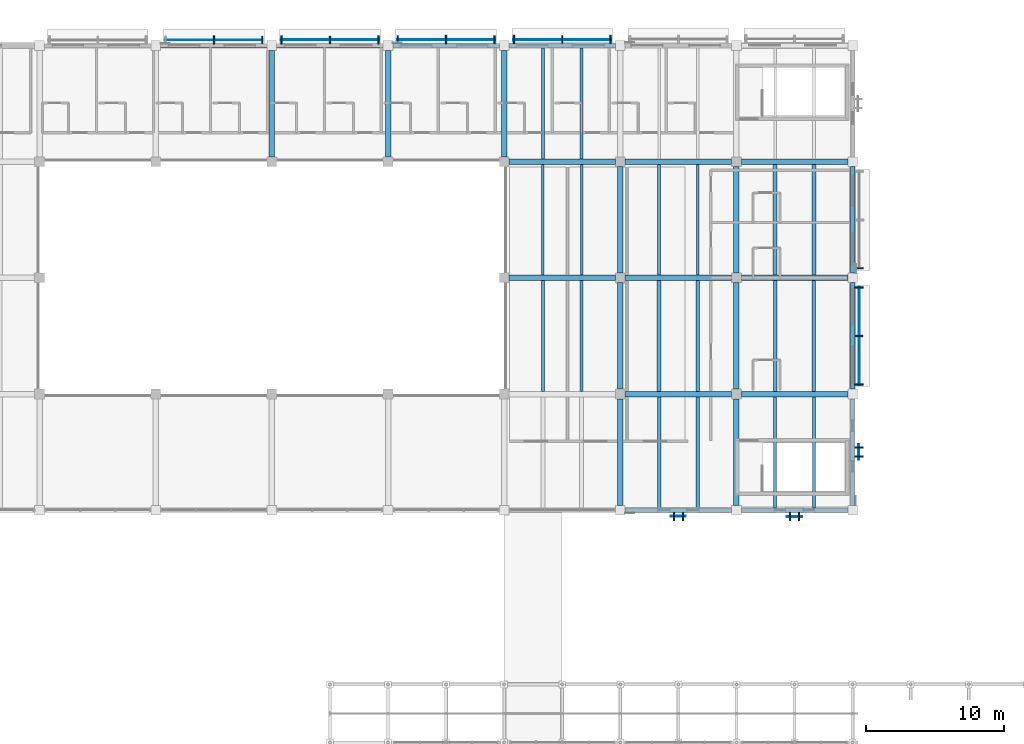
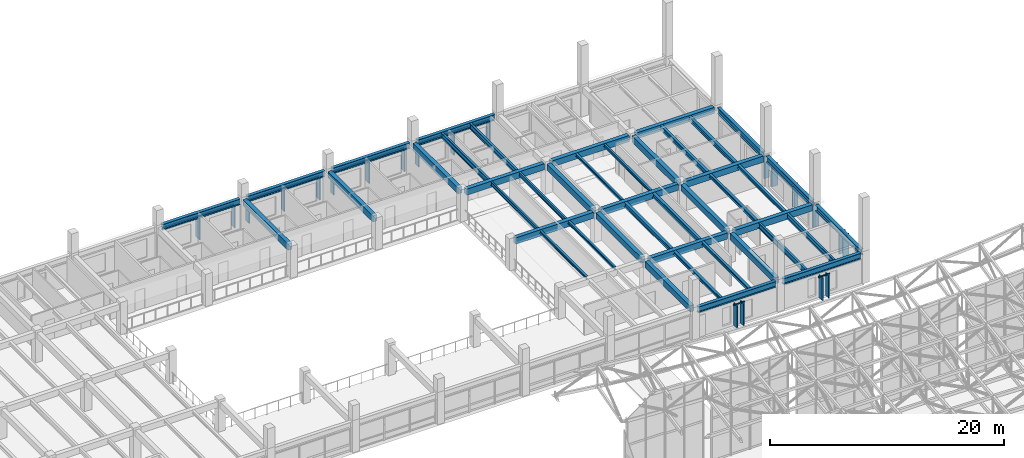
# One storey, part 59 of 123: 44 beams, 29 members, 9 elements without a shape of their own.
"""IFC4 building model written with IfcOpenShell, lengths in metres."""

from ifc_helpers import new_model, si_unit, direction, frame, origin, origin_2d, place, context, subcontext, project, spatial, rectangle, i_section, extrude, material, material_profile, profile_set, type_object, element, aggregate, save


model = new_model("IFC4")

# Units and contexts
model_context = context("Model", 3, precision=1e-05, world=origin(), true_north=direction((0.0, 1.0)))
body_context = subcontext(model_context, "Body", "Model", "MODEL_VIEW")
ifc_project = project(units=[si_unit("LENGTHUNIT", "METRE"), si_unit("AREAUNIT", "SQUARE_METRE"), si_unit("VOLUMEUNIT", "CUBIC_METRE"), si_unit("PLANEANGLEUNIT", "RADIAN"), si_unit("MASSUNIT", "GRAM", prefix="KILO")], contexts=[model_context])

# Site, building, storey
site_placement = place(None, origin())
site = spatial("IfcSite", under=ifc_project, at=site_placement, CompositionType="ELEMENT")
building_placement = place(site_placement, origin())
building = spatial("IfcBuilding", under=site, at=building_placement, Name="Cumbredor Promenade Congress Hotel", CompositionType="ELEMENT")
storey_placement = place(building_placement, frame((0.0, 0.0, 11.760009765625)))
storey = spatial("IfcBuildingStorey", under=building, at=storey_placement, Name="L03", CompositionType="ELEMENT", Elevation=11.760009765625)

# Beams
ifc_material_1 = material(Name="Concrete C40/50", Category="concrete")
ifc_material_profile_1 = material_profile(ifc_material_1, rectangle(XDim=0.39990234375, YDim=0.64990234375, at=origin_2d()), Name="RC BEAM 400x650")
ifc_profile_set_1 = profile_set([ifc_material_profile_1], Name="Concrete C40/50")
beam_type_1 = type_object("IfcBeamType", Name="BM-RC-400x650", PredefinedType="BEAM", material=ifc_profile_set_1)
for number, where, z_axis, x_axis, name in (
    (1, (134.39990234375, 109.550048828125, 2.794921875), (0.0, 1.0, 0.0), (-1.0, 0.0, 0.0), "L04 Y-Grid Beam 196"),
    (2, (142.800048828125, 109.550048828125, 2.794921875), (0.0, 1.0, 0.0), (-1.0, 0.0, 0.0), "L04 Y-Grid Beam 200"),
    (3, (151.550048828125, 100.800048828125, 2.794921875), (1.0, 0.0, 0.0), (0.0, 1.0, 0.0), "L04 X-Grid Beam 205"),
    (4, (151.550048828125, 109.199951171875, 2.794921875), (1.0, 0.0, 0.0), (0.0, 1.0, 0.0), "L04 X-Grid Beam 206"),
    (5, (151.199951171875, 109.550048828125, 2.794921875), (0.0, 1.0, 0.0), (-1.0, 0.0, 0.0), "L04 Y-Grid Beam 207"),
    (6, (159.60009765625, 84.35009765625, 2.794921875), (0.0, 1.0, 0.0), (-1.0, 0.0, 0.0), "L04 Y-Grid Beam 210"),
    (7, (159.949951171875, 92.39990234375, 2.794921875), (1.0, 0.0, 0.0), (0.0, 1.0, 0.0), "L04 X-Grid Beam 211"),
    (8, (159.60009765625, 92.75, 2.794921875), (0.0, 1.0, 0.0), (-1.0, 0.0, 0.0), "L04 Y-Grid Beam 212"),
    (9, (159.949951171875, 100.800048828125, 2.794921875), (1.0, 0.0, 0.0), (0.0, 1.0, 0.0), "L04 X-Grid Beam 213"),
):
    element("IfcBeam", number, at=place(storey_placement, frame(where, z_axis=z_axis, x_axis=x_axis)), inside=storey, type_object=beam_type_1, Name=name, PredefinedType="BEAM", context=body_context, shape_type="SweptSolid", body=[
        extrude(rectangle(XDim=0.39990234375, YDim=0.64990234375, at=origin_2d()), origin(), (0.0, 0.0, 1.0), 7.699951171875),
    ])
beam_1_placement = place(storey_placement, frame((159.60009765625, 101.14990234375, 2.794921875), z_axis=(0.0, 1.0, 0.0), x_axis=(-1.0, 0.0, 0.0)))
element("IfcBeam", 10, at=beam_1_placement, inside=storey, type_object=beam_type_1, Name="L04 Y-Grid Beam 214", PredefinedType="BEAM", context=body_context, shape_type="SweptSolid", body=[
    extrude(rectangle(XDim=0.39990234375, YDim=0.64990234375, at=origin_2d()), origin(), (0.0, 0.0, 1.0), 7.7001953125),
])
for number, where, z_axis, x_axis, name in (
    (11, (159.949951171875, 109.199951171875, 2.794921875), (1.0, 0.0, 0.0), (0.0, 1.0, 0.0), "L04 X-Grid Beam 215"),
    (12, (168.0, 84.35009765625, 2.794921875), (0.0, 1.0, 0.0), (-1.0, 0.0, 0.0), "L04 Y-Grid Beam 219"),
    (13, (168.35009765625, 92.39990234375, 2.794921875), (1.0, 0.0, 0.0), (0.0, 1.0, 0.0), "L04 X-Grid Beam 220"),
    (14, (168.0, 92.75, 2.794921875), (0.0, 1.0, 0.0), (-1.0, 0.0, 0.0), "L04 Y-Grid Beam 221"),
    (15, (168.35009765625, 100.800048828125, 2.794921875), (1.0, 0.0, 0.0), (0.0, 1.0, 0.0), "L04 X-Grid Beam 222"),
):
    element("IfcBeam", number, at=place(storey_placement, frame(where, z_axis=z_axis, x_axis=x_axis)), inside=storey, type_object=beam_type_1, Name=name, PredefinedType="BEAM", context=body_context, shape_type="SweptSolid", body=[
        extrude(rectangle(XDim=0.39990234375, YDim=0.64990234375, at=origin_2d()), origin(), (0.0, 0.0, 1.0), 7.699951171875),
    ])
beam_2_placement = place(storey_placement, frame((168.0, 101.14990234375, 2.794921875), z_axis=(0.0, 1.0, 0.0), x_axis=(-1.0, 0.0, 0.0)))
element("IfcBeam", 16, at=beam_2_placement, inside=storey, type_object=beam_type_1, Name="L04 Y-Grid Beam 223", PredefinedType="BEAM", context=body_context, shape_type="SweptSolid", body=[
    extrude(rectangle(XDim=0.39990234375, YDim=0.64990234375, at=origin_2d()), origin(), (0.0, 0.0, 1.0), 7.7001953125),
])
beam_3_placement = place(storey_placement, frame((168.35009765625, 109.199951171875, 2.794921875), z_axis=(1.0, 0.0, 0.0), x_axis=(0.0, 1.0, 0.0)))
element("IfcBeam", 17, at=beam_3_placement, inside=storey, type_object=beam_type_1, Name="L04 X-Grid Beam 224", PredefinedType="BEAM", context=body_context, shape_type="SweptSolid", body=[
    extrude(rectangle(XDim=0.39990234375, YDim=0.64990234375, at=origin_2d()), origin(), (0.0, 0.0, 1.0), 7.699951171875),
])
ifc_material_2 = material(Name="Steel ASTM A992 Grade 50", Category="steel")
ifc_material_profile_2 = material_profile(ifc_material_2, i_section(OverallWidth=0.323974609375, OverallDepth=0.611083984375, WebThickness=0.0126953125, FlangeThickness=0.01904296875, at=origin_2d()), Name="W24X104")
ifc_profile_set_2 = profile_set([ifc_material_profile_2], Name="Steel ASTM A992 Grade 50")
beam_type_2 = type_object("IfcBeamType", Name="BM-W24X104", PredefinedType="BEAM", material=ifc_profile_set_2)
for number, where, z_axis, x_axis, name in (
    (18, (126.35009765625, 117.60009765625, 2.814453125), (1.0, 0.0, 0.0), (0.0, 1.0, 0.0), "L04 X-Grid Beam 193"),
    (19, (134.75, 117.60009765625, 2.814453125), (1.0, 0.0, 0.0), (0.0, 1.0, 0.0), "L04 X-Grid Beam 197"),
):
    element("IfcBeam", number, at=place(storey_placement, frame(where, z_axis=z_axis, x_axis=x_axis)), inside=storey, type_object=beam_type_2, Name=name, PredefinedType="BEAM", context=body_context, shape_type="SweptSolid", body=[
        extrude(i_section(OverallWidth=0.323974609375, OverallDepth=0.611083984375, WebThickness=0.0126953125, FlangeThickness=0.01904296875, at=origin_2d()), origin(), (0.0, 0.0, 1.0), 7.699951171875),
    ])
beam_4_placement = place(storey_placement, frame((143.14990234375, 117.60009765625, 2.814453125), z_axis=(1.0, 0.0, 0.0), x_axis=(0.0, 1.0, 0.0)))
element("IfcBeam", 20, at=beam_4_placement, inside=storey, type_object=beam_type_2, Name="L04 X-Grid Beam 201", PredefinedType="BEAM", context=body_context, shape_type="SweptSolid", body=[
    extrude(i_section(OverallWidth=0.323974609375, OverallDepth=0.611083984375, WebThickness=0.0126953125, FlangeThickness=0.01904296875, at=origin_2d()), origin(), (0.0, 0.0, 1.0), 7.7001953125),
])
for number, where, z_axis, x_axis, name in (
    (21, (151.550048828125, 117.60009765625, 2.814453125), (1.0, 0.0, 0.0), (0.0, 1.0, 0.0), "L04 X-Grid Beam 208"),
    (22, (159.949951171875, 84.0, 2.814453125), (1.0, 0.0, 0.0), (0.0, 1.0, 0.0), "L04 X-Grid Beam 209"),
    (23, (168.35009765625, 84.0, 2.814453125), (1.0, 0.0, 0.0), (0.0, 1.0, 0.0), "L04 X-Grid Beam 218"),
):
    element("IfcBeam", number, at=place(storey_placement, frame(where, z_axis=z_axis, x_axis=x_axis)), inside=storey, type_object=beam_type_2, Name=name, PredefinedType="BEAM", context=body_context, shape_type="SweptSolid", body=[
        extrude(i_section(OverallWidth=0.323974609375, OverallDepth=0.611083984375, WebThickness=0.0126953125, FlangeThickness=0.01904296875, at=origin_2d()), origin(), (0.0, 0.0, 1.0), 7.699951171875),
    ])

# Curtain wall, member
ifc_material_3 = material(Name="Thermally broken anodized aluminium and low-E glass", Category="aluminium")
curtain_wall_type = type_object("IfcCurtainWallType", Name="Solar Brise-Soleil Screen Assembly CW-07", PredefinedType="NOTDEFINED", material=ifc_material_3)
curtain_wall_1_placement = place(storey_placement, origin())
curtain_wall_1 = element("IfcCurtainWall", 24, at=curtain_wall_1_placement, inside=storey, type_object=curtain_wall_type, Name="L03 Pier Brise-Soleil Screen 0565", PredefinedType="NOTDEFINED")
ifc_material_4 = material(Name="Thermally broken anodized aluminium", Category="aluminium")
ifc_material_profile_3 = material_profile(ifc_material_4, rectangle(XDim=0.06494140625, YDim=0.1298828125, at=origin_2d()), Name="ALU TRANSOM 65x130")
ifc_profile_set_3 = profile_set([ifc_material_profile_3], Name="Thermally broken anodized aluminium")
member_type_1 = type_object("IfcMemberType", Name="Curtain Wall Transom TR-01", PredefinedType="USERDEFINED", material=ifc_profile_set_3)
member_1_placement = place(storey_placement, frame((163.25, 83.550048828125, 2.333984375), z_axis=(1.0, 0.0, 0.0), x_axis=(0.0, 1.0, 0.0)))
member_1 = element("IfcMember", 25, at=member_1_placement, type_object=member_type_1, Name="L03 Pier Brise-Soleil Header 0567", ObjectType="TRANSOM", PredefinedType="USERDEFINED", context=body_context, shape_type="SweptSolid", body=[
    extrude(rectangle(XDim=0.06494140625, YDim=0.1298828125, at=origin_2d()), origin(), (0.0, 0.0, 1.0), 1.10009765625),
])

curtain_wall_2_placement = place(storey_placement, origin())
curtain_wall_2 = element("IfcCurtainWall", 26, at=curtain_wall_2_placement, inside=storey, type_object=curtain_wall_type, Name="L03 Pier Brise-Soleil Screen 0568", PredefinedType="NOTDEFINED")
member_2_placement = place(storey_placement, frame((171.64990234375, 83.527587890625, 2.333984375), z_axis=(1.0, 0.0, 0.0), x_axis=(0.0, 1.0, 0.0)))
member_2 = element("IfcMember", 27, at=member_2_placement, type_object=member_type_1, Name="L03 Pier Brise-Soleil Header 0570", ObjectType="TRANSOM", PredefinedType="USERDEFINED", context=body_context, shape_type="SweptSolid", body=[
    extrude(rectangle(XDim=0.06494140625, YDim=0.1298828125, at=origin_2d()), origin(), (0.0, 0.0, 1.0), 1.10009765625),
])

curtain_wall_3_placement = place(storey_placement, origin())
curtain_wall_3 = element("IfcCurtainWall", 28, at=curtain_wall_3_placement, inside=storey, type_object=curtain_wall_type, Name="L03 Hospitality Brise-Soleil Screen 048", PredefinedType="NOTDEFINED")
member_3_placement = place(storey_placement, frame((126.65087890625, 118.0, 2.31396484375), z_axis=(1.0, 0.0, 0.0), x_axis=(0.0, 1.0, 0.0)))
member_3 = element("IfcMember", 29, at=member_3_placement, type_object=member_type_1, Name="L03 Brise-Soleil Screen Transom 048", ObjectType="TRANSOM", PredefinedType="USERDEFINED", context=body_context, shape_type="SweptSolid", body=[
    extrude(rectangle(XDim=0.06494140625, YDim=0.1298828125, at=origin_2d()), origin(), (0.0, 0.0, 1.0), 7.09814453125),
])

curtain_wall_4_placement = place(storey_placement, origin())
curtain_wall_4 = element("IfcCurtainWall", 30, at=curtain_wall_4_placement, inside=storey, type_object=curtain_wall_type, Name="L03 Hospitality Brise-Soleil Screen 049", PredefinedType="NOTDEFINED")
member_4_placement = place(storey_placement, frame((135.051025390625, 118.010009765625, 2.31396484375), z_axis=(1.0, 0.0, 0.0), x_axis=(0.0, 1.0, 0.0)))
member_4 = element("IfcMember", 31, at=member_4_placement, type_object=member_type_1, Name="L03 Brise-Soleil Screen Transom 049", ObjectType="TRANSOM", PredefinedType="USERDEFINED", context=body_context, shape_type="SweptSolid", body=[
    extrude(rectangle(XDim=0.06494140625, YDim=0.1298828125, at=origin_2d()), origin(), (0.0, 0.0, 1.0), 7.097900390625),
])

curtain_wall_5_placement = place(storey_placement, origin())
curtain_wall_5 = element("IfcCurtainWall", 32, at=curtain_wall_5_placement, inside=storey, type_object=curtain_wall_type, Name="L03 Hospitality Brise-Soleil Screen 050", PredefinedType="NOTDEFINED")
member_5_placement = place(storey_placement, frame((143.450927734375, 118.0224609375, 2.31396484375), z_axis=(1.0, 0.0, 0.0), x_axis=(0.0, 1.0, 0.0)))
member_5 = element("IfcMember", 33, at=member_5_placement, type_object=member_type_1, Name="L03 Brise-Soleil Screen Transom 050", ObjectType="TRANSOM", PredefinedType="USERDEFINED", context=body_context, shape_type="SweptSolid", body=[
    extrude(rectangle(XDim=0.06494140625, YDim=0.1298828125, at=origin_2d()), origin(), (0.0, 0.0, 1.0), 7.09814453125),
])

curtain_wall_6_placement = place(storey_placement, origin())
curtain_wall_6 = element("IfcCurtainWall", 34, at=curtain_wall_6_placement, inside=storey, type_object=curtain_wall_type, Name="L03 Hospitality Brise-Soleil Screen 051", PredefinedType="NOTDEFINED")
member_6_placement = place(storey_placement, frame((151.85107421875, 118.034912109375, 2.31396484375), z_axis=(1.0, 0.0, 0.0), x_axis=(0.0, 1.0, 0.0)))
member_6 = element("IfcMember", 35, at=member_6_placement, type_object=member_type_1, Name="L03 Brise-Soleil Screen Transom 051", ObjectType="TRANSOM", PredefinedType="USERDEFINED", context=body_context, shape_type="SweptSolid", body=[
    extrude(rectangle(XDim=0.06494140625, YDim=0.1298828125, at=origin_2d()), origin(), (0.0, 0.0, 1.0), 7.097900390625),
])

curtain_wall_7_placement = place(storey_placement, origin())
curtain_wall_7 = element("IfcCurtainWall", 36, at=curtain_wall_7_placement, inside=storey, type_object=curtain_wall_type, Name="L03 Pier Brise-Soleil Screen 0607", PredefinedType="NOTDEFINED")
member_7_placement = place(storey_placement, frame((176.85009765625, 87.64990234375, 2.333984375), z_axis=(0.0, 1.0, 0.0), x_axis=(-1.0, 0.0, 0.0)))
member_7 = element("IfcMember", 37, at=member_7_placement, type_object=member_type_1, Name="L03 Pier Brise-Soleil Header 0609", ObjectType="TRANSOM", PredefinedType="USERDEFINED", context=body_context, shape_type="SweptSolid", body=[
    extrude(rectangle(XDim=0.06494140625, YDim=0.1298828125, at=origin_2d()), origin(), (0.0, 0.0, 1.0), 1.10009765625),
])

curtain_wall_8_placement = place(storey_placement, origin())
curtain_wall_8 = element("IfcCurtainWall", 38, at=curtain_wall_8_placement, inside=storey, type_object=curtain_wall_type, Name="L03 Hospitality Brise-Soleil Screen 054", PredefinedType="NOTDEFINED")
member_8_placement = place(storey_placement, frame((176.87255859375, 93.051025390625, 2.31396484375), z_axis=(0.0, 1.0, 0.0), x_axis=(-1.0, 0.0, 0.0)))
member_8 = element("IfcMember", 39, at=member_8_placement, type_object=member_type_1, Name="L03 Brise-Soleil Screen Transom 054", ObjectType="TRANSOM", PredefinedType="USERDEFINED", context=body_context, shape_type="SweptSolid", body=[
    extrude(rectangle(XDim=0.06494140625, YDim=0.1298828125, at=origin_2d()), origin(), (0.0, 0.0, 1.0), 7.097900390625),
])

# Beams
ifc_material_profile_4 = material_profile(ifc_material_2, i_section(OverallWidth=0.202880859375, OverallDepth=0.302978515625, WebThickness=0.007568359375, FlangeThickness=0.01318359375, at=origin_2d()), Name="W12X40")
ifc_profile_set_4 = profile_set([ifc_material_profile_4], Name="Steel ASTM A992 Grade 50")
beam_type_3 = type_object("IfcBeamType", Name="JST-W12X40", PredefinedType="JOIST", material=ifc_profile_set_4)
for number, where, z_axis, x_axis, name in (
    (40, (154.0, 92.60009765625, 2.968505859375), (0.0, 1.0, 0.0), (-1.0, 0.0, 0.0), "L04 Secondary Floor Joist 0130"),
    (41, (156.800048828125, 92.60009765625, 2.968505859375), (0.0, 1.0, 0.0), (-1.0, 0.0, 0.0), "L04 Secondary Floor Joist 0131"),
    (42, (162.39990234375, 101.0, 2.968505859375), (0.0, 1.0, 0.0), (-1.0, 0.0, 0.0), "L04 Secondary Floor Joist 0140"),
    (43, (165.199951171875, 101.0, 2.968505859375), (0.0, 1.0, 0.0), (-1.0, 0.0, 0.0), "L04 Secondary Floor Joist 0141"),
):
    element("IfcBeam", number, at=place(storey_placement, frame(where, z_axis=z_axis, x_axis=x_axis)), inside=storey, type_object=beam_type_3, Name=name, PredefinedType="JOIST", context=body_context, shape_type="SweptSolid", body=[
        extrude(i_section(OverallWidth=0.202880859375, OverallDepth=0.302978515625, WebThickness=0.007568359375, FlangeThickness=0.01318359375, at=origin_2d()), origin(), (0.0, 0.0, 1.0), 8.0),
    ])
ifc_material_profile_5 = material_profile(ifc_material_2, i_section(OverallWidth=0.2548828125, OverallDepth=0.35693359375, WebThickness=0.010498046875, FlangeThickness=0.018310546875, at=origin_2d()), Name="W14X68")
ifc_profile_set_5 = profile_set([ifc_material_profile_5], Name="Steel ASTM A992 Grade 50")
beam_type_4 = type_object("IfcBeamType", Name="JST-W14X68", PredefinedType="JOIST", material=ifc_profile_set_5)
for number, where, z_axis, x_axis, name in (
    (44, (162.39990234375, 84.162109375, 2.94140625), (0.0, 1.0, 0.0), (-1.0, 0.0, 0.0), "L04 Secondary Floor Joist 0136"),
    (45, (165.199951171875, 84.162109375, 2.94140625), (0.0, 1.0, 0.0), (-1.0, 0.0, 0.0), "L04 Secondary Floor Joist 0137"),
):
    element("IfcBeam", number, at=place(storey_placement, frame(where, z_axis=z_axis, x_axis=x_axis)), inside=storey, type_object=beam_type_4, Name=name, PredefinedType="JOIST", context=body_context, shape_type="SweptSolid", body=[
        extrude(i_section(OverallWidth=0.2548828125, OverallDepth=0.35693359375, WebThickness=0.010498046875, FlangeThickness=0.018310546875, at=origin_2d()), origin(), (0.0, 0.0, 1.0), 8.037841796875),
    ])
for number, where, z_axis, x_axis, name in (
    (46, (170.800048828125, 92.60009765625, 2.94140625), (0.0, 1.0, 0.0), (-1.0, 0.0, 0.0), "L04 Secondary Floor Joist 0146"),
    (47, (173.60009765625, 92.60009765625, 2.94140625), (0.0, 1.0, 0.0), (-1.0, 0.0, 0.0), "L04 Secondary Floor Joist 0147"),
):
    element("IfcBeam", number, at=place(storey_placement, frame(where, z_axis=z_axis, x_axis=x_axis)), inside=storey, type_object=beam_type_4, Name=name, PredefinedType="JOIST", context=body_context, shape_type="SweptSolid", body=[
        extrude(i_section(OverallWidth=0.2548828125, OverallDepth=0.35693359375, WebThickness=0.010498046875, FlangeThickness=0.018310546875, at=origin_2d()), origin(), (0.0, 0.0, 1.0), 8.0),
    ])
ifc_material_profile_6 = material_profile(ifc_material_2, i_section(OverallWidth=0.180908203125, OverallDepth=0.4169921875, WebThickness=0.010986328125, FlangeThickness=0.018310546875, at=origin_2d()), Name="W16X57")
ifc_profile_set_6 = profile_set([ifc_material_profile_6], Name="Steel ASTM A992 Grade 50")
beam_type_5 = type_object("IfcBeamType", Name="JST-W16X57", PredefinedType="JOIST", material=ifc_profile_set_6)
for number, where, z_axis, x_axis, name in (
    (48, (154.0, 101.0, 2.911376953125), (0.0, 1.0, 0.0), (-1.0, 0.0, 0.0), "L04 Secondary Floor Joist 0132"),
    (49, (156.800048828125, 101.0, 2.911376953125), (0.0, 1.0, 0.0), (-1.0, 0.0, 0.0), "L04 Secondary Floor Joist 0133"),
):
    element("IfcBeam", number, at=place(storey_placement, frame(where, z_axis=z_axis, x_axis=x_axis)), inside=storey, type_object=beam_type_5, Name=name, PredefinedType="JOIST", context=body_context, shape_type="SweptSolid", body=[
        extrude(i_section(OverallWidth=0.180908203125, OverallDepth=0.4169921875, WebThickness=0.010986328125, FlangeThickness=0.018310546875, at=origin_2d()), origin(), (0.0, 0.0, 1.0), 8.0),
    ])
ifc_material_profile_7 = material_profile(ifc_material_2, i_section(OverallWidth=0.280029296875, OverallDepth=0.462890625, WebThickness=0.0107421875, FlangeThickness=0.017333984375, at=origin_2d()), Name="W18X76")
ifc_profile_set_7 = profile_set([ifc_material_profile_7], Name="Steel ASTM A992 Grade 50")
beam_type_6 = type_object("IfcBeamType", Name="JST-W18X76", PredefinedType="JOIST", material=ifc_profile_set_7)
for number, where, z_axis, x_axis, name in (
    (50, (162.39990234375, 92.60009765625, 2.888427734375), (0.0, 1.0, 0.0), (-1.0, 0.0, 0.0), "L04 Secondary Floor Joist 0138"),
    (51, (165.199951171875, 92.60009765625, 2.888427734375), (0.0, 1.0, 0.0), (-1.0, 0.0, 0.0), "L04 Secondary Floor Joist 0139"),
    (52, (170.800048828125, 101.0, 2.888427734375), (0.0, 1.0, 0.0), (-1.0, 0.0, 0.0), "L04 Secondary Floor Joist 0148"),
    (53, (173.60009765625, 101.0, 2.888427734375), (0.0, 1.0, 0.0), (-1.0, 0.0, 0.0), "L04 Secondary Floor Joist 0149"),
):
    element("IfcBeam", number, at=place(storey_placement, frame(where, z_axis=z_axis, x_axis=x_axis)), inside=storey, type_object=beam_type_6, Name=name, PredefinedType="JOIST", context=body_context, shape_type="SweptSolid", body=[
        extrude(i_section(OverallWidth=0.280029296875, OverallDepth=0.462890625, WebThickness=0.0107421875, FlangeThickness=0.017333984375, at=origin_2d()), origin(), (0.0, 0.0, 1.0), 8.0),
    ])
ifc_material_profile_8 = material_profile(ifc_material_2, i_section(OverallWidth=0.214111328125, OverallDepth=0.549072265625, WebThickness=0.0146484375, FlangeThickness=0.023681640625, at=origin_2d()), Name="W21X93")
ifc_profile_set_8 = profile_set([ifc_material_profile_8], Name="Steel ASTM A992 Grade 50")
beam_type_7 = type_object("IfcBeamType", Name="JST-W21X93", PredefinedType="JOIST", material=ifc_profile_set_8)
for number, where, z_axis, x_axis, name in (
    (54, (154.0, 109.39990234375, 2.845458984375), (0.0, 1.0, 0.0), (-1.0, 0.0, 0.0), "L04 Secondary Floor Joist 0134"),
    (55, (156.800048828125, 109.39990234375, 2.845458984375), (0.0, 1.0, 0.0), (-1.0, 0.0, 0.0), "L04 Secondary Floor Joist 0135"),
):
    element("IfcBeam", number, at=place(storey_placement, frame(where, z_axis=z_axis, x_axis=x_axis)), inside=storey, type_object=beam_type_7, Name=name, PredefinedType="JOIST", context=body_context, shape_type="SweptSolid", body=[
        extrude(i_section(OverallWidth=0.214111328125, OverallDepth=0.549072265625, WebThickness=0.0146484375, FlangeThickness=0.023681640625, at=origin_2d()), origin(), (0.0, 0.0, 1.0), 8.0380859375),
    ])
for number, where, z_axis, x_axis, name in (
    (56, (170.800048828125, 84.162109375, 2.845458984375), (0.0, 1.0, 0.0), (-1.0, 0.0, 0.0), "L04 Secondary Floor Joist 0144"),
    (57, (173.60009765625, 84.162109375, 2.845458984375), (0.0, 1.0, 0.0), (-1.0, 0.0, 0.0), "L04 Secondary Floor Joist 0145"),
):
    element("IfcBeam", number, at=place(storey_placement, frame(where, z_axis=z_axis, x_axis=x_axis)), inside=storey, type_object=beam_type_7, Name=name, PredefinedType="JOIST", context=body_context, shape_type="SweptSolid", body=[
        extrude(i_section(OverallWidth=0.214111328125, OverallDepth=0.549072265625, WebThickness=0.0146484375, FlangeThickness=0.023681640625, at=origin_2d()), origin(), (0.0, 0.0, 1.0), 8.037841796875),
    ])
ifc_material_profile_9 = material_profile(ifc_material_2, i_section(OverallWidth=0.323974609375, OverallDepth=0.611083984375, WebThickness=0.0126953125, FlangeThickness=0.01904296875, at=origin_2d()), Name="W24X104")
ifc_profile_set_9 = profile_set([ifc_material_profile_9], Name="Steel ASTM A992 Grade 50")
beam_type_8 = type_object("IfcBeamType", Name="SP-W24X104", PredefinedType="SPANDREL", material=ifc_profile_set_9)
for number, where, z_axis, x_axis, name in (
    (58, (176.39990234375, 84.35009765625, 2.814453125), (0.0, 1.0, 0.0), (-1.0, 0.0, 0.0), "L04 Y-Grid Beam 227"),
    (59, (176.39990234375, 92.75, 2.814453125), (0.0, 1.0, 0.0), (-1.0, 0.0, 0.0), "L04 Y-Grid Beam 228"),
):
    element("IfcBeam", number, at=place(storey_placement, frame(where, z_axis=z_axis, x_axis=x_axis)), inside=storey, type_object=beam_type_8, Name=name, PredefinedType="SPANDREL", context=body_context, shape_type="SweptSolid", body=[
        extrude(i_section(OverallWidth=0.323974609375, OverallDepth=0.611083984375, WebThickness=0.0126953125, FlangeThickness=0.01904296875, at=origin_2d()), origin(), (0.0, 0.0, 1.0), 7.699951171875),
    ])
beam_5_placement = place(storey_placement, frame((176.39990234375, 101.14990234375, 2.814453125), z_axis=(0.0, 1.0, 0.0), x_axis=(-1.0, 0.0, 0.0)))
element("IfcBeam", 60, at=beam_5_placement, inside=storey, type_object=beam_type_8, Name="L04 Y-Grid Beam 229", PredefinedType="SPANDREL", context=body_context, shape_type="SweptSolid", body=[
    extrude(i_section(OverallWidth=0.323974609375, OverallDepth=0.611083984375, WebThickness=0.0126953125, FlangeThickness=0.01904296875, at=origin_2d()), origin(), (0.0, 0.0, 1.0), 7.7001953125),
])

# Member
ifc_material_profile_10 = material_profile(ifc_material_4, rectangle(XDim=0.110107421875, YDim=0.6201171875, at=origin_2d()), Name="ARCH FIN 110x620")
ifc_profile_set_10 = profile_set([ifc_material_profile_10], Name="Thermally broken anodized aluminium")
member_type_2 = type_object("IfcMemberType", Name="Vertical Bronze Brise-Soleil Fin BSF-02 110x620", PredefinedType="USERDEFINED", material=ifc_profile_set_10)
member_9_placement = place(storey_placement, frame((163.47998046875, 83.550048828125, 0.02001953125), z_axis=(0.0, 0.0, 1.0), x_axis=(1.0, 0.0, 0.0)))
member_9 = element("IfcMember", 61, at=member_9_placement, type_object=member_type_2, Name="L03 Pier Brise-Soleil Fin 0566", ObjectType="SOLAR FIN", PredefinedType="USERDEFINED", context=body_context, shape_type="SweptSolid", body=[
    extrude(rectangle(XDim=0.110107421875, YDim=0.6201171875, at=origin_2d()), origin(), (0.0, 0.0, 1.0), 2.35400390625),
])

member_10_placement = place(storey_placement, frame((164.1201171875, 83.550048828125, 0.02001953125), z_axis=(0.0, 0.0, 1.0), x_axis=(1.0, 0.0, 0.0)))
member_10 = element("IfcMember", 62, at=member_10_placement, type_object=member_type_2, Name="L03 Pier Brise-Soleil Fin 0567", ObjectType="SOLAR FIN", PredefinedType="USERDEFINED", context=body_context, shape_type="SweptSolid", body=[
    extrude(rectangle(XDim=0.110107421875, YDim=0.6201171875, at=origin_2d()), origin(), (0.0, 0.0, 1.0), 2.35400390625),
])

aggregate(curtain_wall_1, [member_9, member_10, member_1])

member_11_placement = place(storey_placement, frame((171.8798828125, 83.527587890625, 0.02001953125), z_axis=(0.0, 0.0, 1.0), x_axis=(1.0, 0.0, 0.0)))
member_11 = element("IfcMember", 63, at=member_11_placement, type_object=member_type_2, Name="L03 Pier Brise-Soleil Fin 0569", ObjectType="SOLAR FIN", PredefinedType="USERDEFINED", context=body_context, shape_type="SweptSolid", body=[
    extrude(rectangle(XDim=0.110107421875, YDim=0.6201171875, at=origin_2d()), origin(), (0.0, 0.0, 1.0), 2.35400390625),
])

member_12_placement = place(storey_placement, frame((172.52001953125, 83.527587890625, 0.02001953125), z_axis=(0.0, 0.0, 1.0), x_axis=(1.0, 0.0, 0.0)))
member_12 = element("IfcMember", 64, at=member_12_placement, type_object=member_type_2, Name="L03 Pier Brise-Soleil Fin 0570", ObjectType="SOLAR FIN", PredefinedType="USERDEFINED", context=body_context, shape_type="SweptSolid", body=[
    extrude(rectangle(XDim=0.110107421875, YDim=0.6201171875, at=origin_2d()), origin(), (0.0, 0.0, 1.0), 2.35400390625),
])

aggregate(curtain_wall_2, [member_11, member_12, member_2])

member_13_placement = place(storey_placement, frame((130.199951171875, 118.0, 0.02001953125), z_axis=(0.0, 0.0, 1.0), x_axis=(1.0, 0.0, 0.0)))
member_13 = element("IfcMember", 65, at=member_13_placement, type_object=member_type_2, Name="L03 Vertical Brise-Soleil Fin 0584", ObjectType="SOLAR FIN", PredefinedType="USERDEFINED", context=body_context, shape_type="SweptSolid", body=[
    extrude(rectangle(XDim=0.110107421875, YDim=0.6201171875, at=origin_2d()), origin(), (0.0, 0.0, 1.0), 2.35400390625),
])

member_14_placement = place(storey_placement, frame((135.10107421875, 118.010009765625, 0.02001953125), z_axis=(0.0, 0.0, 1.0), x_axis=(1.0, 0.0, 0.0)))
member_14 = element("IfcMember", 66, at=member_14_placement, type_object=member_type_2, Name="L03 Vertical Brise-Soleil Fin 0586", ObjectType="SOLAR FIN", PredefinedType="USERDEFINED", context=body_context, shape_type="SweptSolid", body=[
    extrude(rectangle(XDim=0.110107421875, YDim=0.6201171875, at=origin_2d()), origin(), (0.0, 0.0, 1.0), 2.35400390625),
])

member_15_placement = place(storey_placement, frame((142.09912109375, 118.010009765625, 0.02001953125), z_axis=(0.0, 0.0, 1.0), x_axis=(1.0, 0.0, 0.0)))
member_15 = element("IfcMember", 67, at=member_15_placement, type_object=member_type_2, Name="L03 Vertical Brise-Soleil Fin 0588", ObjectType="SOLAR FIN", PredefinedType="USERDEFINED", context=body_context, shape_type="SweptSolid", body=[
    extrude(rectangle(XDim=0.110107421875, YDim=0.6201171875, at=origin_2d()), origin(), (0.0, 0.0, 1.0), 2.35400390625),
])

member_16_placement = place(storey_placement, frame((147.0, 118.0224609375, 0.02001953125), z_axis=(0.0, 0.0, 1.0), x_axis=(1.0, 0.0, 0.0)))
member_16 = element("IfcMember", 68, at=member_16_placement, type_object=member_type_2, Name="L03 Vertical Brise-Soleil Fin 0590", ObjectType="SOLAR FIN", PredefinedType="USERDEFINED", context=body_context, shape_type="SweptSolid", body=[
    extrude(rectangle(XDim=0.110107421875, YDim=0.6201171875, at=origin_2d()), origin(), (0.0, 0.0, 1.0), 2.35400390625),
])

member_17_placement = place(storey_placement, frame((151.90087890625, 118.034912109375, 0.02001953125), z_axis=(0.0, 0.0, 1.0), x_axis=(1.0, 0.0, 0.0)))
member_17 = element("IfcMember", 69, at=member_17_placement, type_object=member_type_2, Name="L03 Vertical Brise-Soleil Fin 0592", ObjectType="SOLAR FIN", PredefinedType="USERDEFINED", context=body_context, shape_type="SweptSolid", body=[
    extrude(rectangle(XDim=0.110107421875, YDim=0.6201171875, at=origin_2d()), origin(), (0.0, 0.0, 1.0), 2.35400390625),
])

member_18_placement = place(storey_placement, frame((158.89892578125, 118.034912109375, 0.02001953125), z_axis=(0.0, 0.0, 1.0), x_axis=(1.0, 0.0, 0.0)))
member_18 = element("IfcMember", 70, at=member_18_placement, type_object=member_type_2, Name="L03 Vertical Brise-Soleil Fin 0594", ObjectType="SOLAR FIN", PredefinedType="USERDEFINED", context=body_context, shape_type="SweptSolid", body=[
    extrude(rectangle(XDim=0.110107421875, YDim=0.6201171875, at=origin_2d()), origin(), (0.0, 0.0, 1.0), 2.35400390625),
])

member_19_placement = place(storey_placement, frame((176.85009765625, 87.8798828125, 0.02001953125), z_axis=(0.0, 0.0, 1.0), x_axis=(0.0, 1.0, 0.0)))
member_19 = element("IfcMember", 71, at=member_19_placement, type_object=member_type_2, Name="L03 Pier Brise-Soleil Fin 0608", ObjectType="SOLAR FIN", PredefinedType="USERDEFINED", context=body_context, shape_type="SweptSolid", body=[
    extrude(rectangle(XDim=0.110107421875, YDim=0.6201171875, at=origin_2d()), origin(), (0.0, 0.0, 1.0), 2.35400390625),
])

member_20_placement = place(storey_placement, frame((176.85009765625, 88.52001953125, 0.02001953125), z_axis=(0.0, 0.0, 1.0), x_axis=(0.0, 1.0, 0.0)))
member_20 = element("IfcMember", 72, at=member_20_placement, type_object=member_type_2, Name="L03 Pier Brise-Soleil Fin 0609", ObjectType="SOLAR FIN", PredefinedType="USERDEFINED", context=body_context, shape_type="SweptSolid", body=[
    extrude(rectangle(XDim=0.110107421875, YDim=0.6201171875, at=origin_2d()), origin(), (0.0, 0.0, 1.0), 2.35400390625),
])

aggregate(curtain_wall_7, [member_19, member_20, member_7])

member_21_placement = place(storey_placement, frame((176.87255859375, 93.10107421875, 0.02001953125), z_axis=(0.0, 0.0, 1.0), x_axis=(0.0, 1.0, 0.0)))
member_21 = element("IfcMember", 73, at=member_21_placement, type_object=member_type_2, Name="L03 Vertical Brise-Soleil Fin 0610", ObjectType="SOLAR FIN", PredefinedType="USERDEFINED", context=body_context, shape_type="SweptSolid", body=[
    extrude(rectangle(XDim=0.110107421875, YDim=0.6201171875, at=origin_2d()), origin(), (0.0, 0.0, 1.0), 2.35400390625),
])

member_22_placement = place(storey_placement, frame((176.87255859375, 100.09912109375, 0.02001953125), z_axis=(0.0, 0.0, 1.0), x_axis=(0.0, 1.0, 0.0)))
member_22 = element("IfcMember", 74, at=member_22_placement, type_object=member_type_2, Name="L03 Vertical Brise-Soleil Fin 0612", ObjectType="SOLAR FIN", PredefinedType="USERDEFINED", context=body_context, shape_type="SweptSolid", body=[
    extrude(rectangle(XDim=0.110107421875, YDim=0.6201171875, at=origin_2d()), origin(), (0.0, 0.0, 1.0), 2.35400390625),
])

ifc_material_5 = material(Name="Kiln-dried tropical hardwood", Category="wood")
ifc_material_profile_11 = material_profile(ifc_material_5, rectangle(XDim=0.090087890625, YDim=0.550048828125, at=origin_2d()), Name="ARCH FIN 90x550")
ifc_profile_set_11 = profile_set([ifc_material_profile_11], Name="Kiln-dried tropical hardwood")
member_type_3 = type_object("IfcMemberType", Name="Vertical Hardwood Brise-Soleil Fin BSF-01 90x550", PredefinedType="USERDEFINED", material=ifc_profile_set_11)
member_23_placement = place(storey_placement, frame((133.698974609375, 118.0, 0.02001953125), z_axis=(0.0, 0.0, 1.0), x_axis=(1.0, 0.0, 0.0)))
member_23 = element("IfcMember", 75, at=member_23_placement, type_object=member_type_3, Name="L03 Vertical Brise-Soleil Fin 0585", ObjectType="SOLAR FIN", PredefinedType="USERDEFINED", context=body_context, shape_type="SweptSolid", body=[
    extrude(rectangle(XDim=0.090087890625, YDim=0.550048828125, at=origin_2d()), origin(), (0.0, 0.0, 1.0), 2.35400390625),
])

aggregate(curtain_wall_3, [member_3, member_13, member_23])

member_24_placement = place(storey_placement, frame((138.60009765625, 118.010009765625, 0.02001953125), z_axis=(0.0, 0.0, 1.0), x_axis=(1.0, 0.0, 0.0)))
member_24 = element("IfcMember", 76, at=member_24_placement, type_object=member_type_3, Name="L03 Vertical Brise-Soleil Fin 0587", ObjectType="SOLAR FIN", PredefinedType="USERDEFINED", context=body_context, shape_type="SweptSolid", body=[
    extrude(rectangle(XDim=0.090087890625, YDim=0.550048828125, at=origin_2d()), origin(), (0.0, 0.0, 1.0), 2.35400390625),
])

aggregate(curtain_wall_4, [member_4, member_14, member_24, member_15])

member_25_placement = place(storey_placement, frame((143.5009765625, 118.0224609375, 0.02001953125), z_axis=(0.0, 0.0, 1.0), x_axis=(1.0, 0.0, 0.0)))
member_25 = element("IfcMember", 77, at=member_25_placement, type_object=member_type_3, Name="L03 Vertical Brise-Soleil Fin 0589", ObjectType="SOLAR FIN", PredefinedType="USERDEFINED", context=body_context, shape_type="SweptSolid", body=[
    extrude(rectangle(XDim=0.090087890625, YDim=0.550048828125, at=origin_2d()), origin(), (0.0, 0.0, 1.0), 2.35400390625),
])

member_26_placement = place(storey_placement, frame((150.4990234375, 118.0224609375, 0.02001953125), z_axis=(0.0, 0.0, 1.0), x_axis=(1.0, 0.0, 0.0)))
member_26 = element("IfcMember", 78, at=member_26_placement, type_object=member_type_3, Name="L03 Vertical Brise-Soleil Fin 0591", ObjectType="SOLAR FIN", PredefinedType="USERDEFINED", context=body_context, shape_type="SweptSolid", body=[
    extrude(rectangle(XDim=0.090087890625, YDim=0.550048828125, at=origin_2d()), origin(), (0.0, 0.0, 1.0), 2.35400390625),
])

aggregate(curtain_wall_5, [member_5, member_25, member_16, member_26])

member_27_placement = place(storey_placement, frame((155.39990234375, 118.034912109375, 0.02001953125), z_axis=(0.0, 0.0, 1.0), x_axis=(1.0, 0.0, 0.0)))
member_27 = element("IfcMember", 79, at=member_27_placement, type_object=member_type_3, Name="L03 Vertical Brise-Soleil Fin 0593", ObjectType="SOLAR FIN", PredefinedType="USERDEFINED", context=body_context, shape_type="SweptSolid", body=[
    extrude(rectangle(XDim=0.090087890625, YDim=0.550048828125, at=origin_2d()), origin(), (0.0, 0.0, 1.0), 2.35400390625),
])

aggregate(curtain_wall_6, [member_6, member_17, member_27, member_18])

member_28_placement = place(storey_placement, frame((176.87255859375, 96.60009765625, 0.02001953125), z_axis=(0.0, 0.0, 1.0), x_axis=(0.0, 1.0, 0.0)))
member_28 = element("IfcMember", 80, at=member_28_placement, type_object=member_type_3, Name="L03 Vertical Brise-Soleil Fin 0611", ObjectType="SOLAR FIN", PredefinedType="USERDEFINED", context=body_context, shape_type="SweptSolid", body=[
    extrude(rectangle(XDim=0.090087890625, YDim=0.550048828125, at=origin_2d()), origin(), (0.0, 0.0, 1.0), 2.35400390625),
])

aggregate(curtain_wall_8, [member_8, member_21, member_28, member_22])

# Curtain wall, member
curtain_wall_9_placement = place(storey_placement, origin())
curtain_wall_9 = element("IfcCurtainWall", 81, at=curtain_wall_9_placement, inside=storey, type_object=curtain_wall_type, Name="L03 Hospitality Brise-Soleil Screen 055", PredefinedType="NOTDEFINED")
member_29_placement = place(storey_placement, frame((176.885009765625, 101.5009765625, 0.02001953125), z_axis=(0.0, 0.0, 1.0), x_axis=(0.0, 1.0, 0.0)))
member_29 = element("IfcMember", 82, at=member_29_placement, type_object=member_type_3, Name="L03 Vertical Brise-Soleil Fin 0613", ObjectType="SOLAR FIN", PredefinedType="USERDEFINED", context=body_context, shape_type="SweptSolid", body=[
    extrude(rectangle(XDim=0.090087890625, YDim=0.550048828125, at=origin_2d()), origin(), (0.0, 0.0, 1.0), 2.35400390625),
])
aggregate(curtain_wall_9, [member_29])

save(model, "model.ifc")
